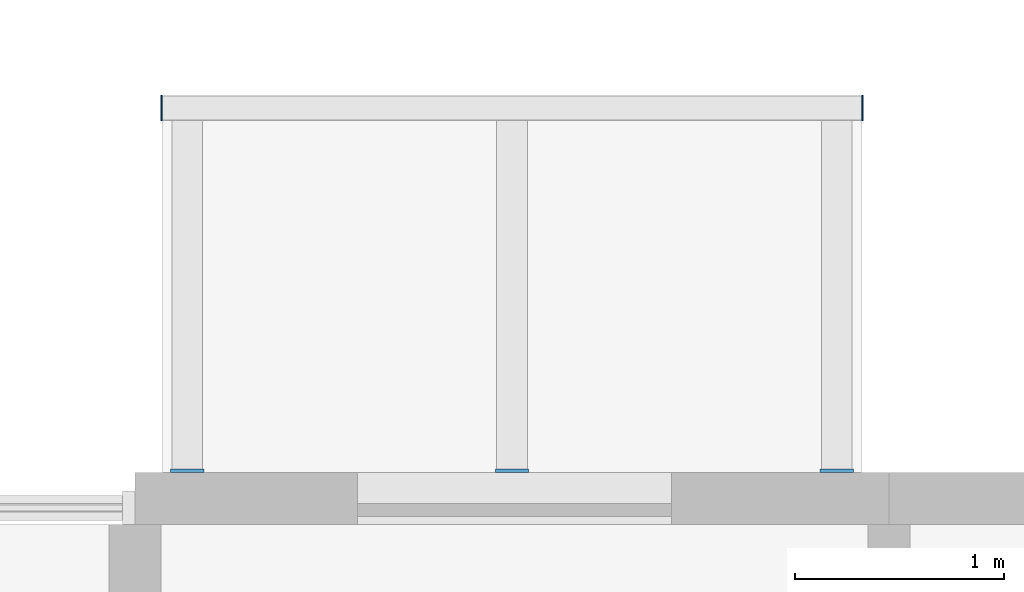
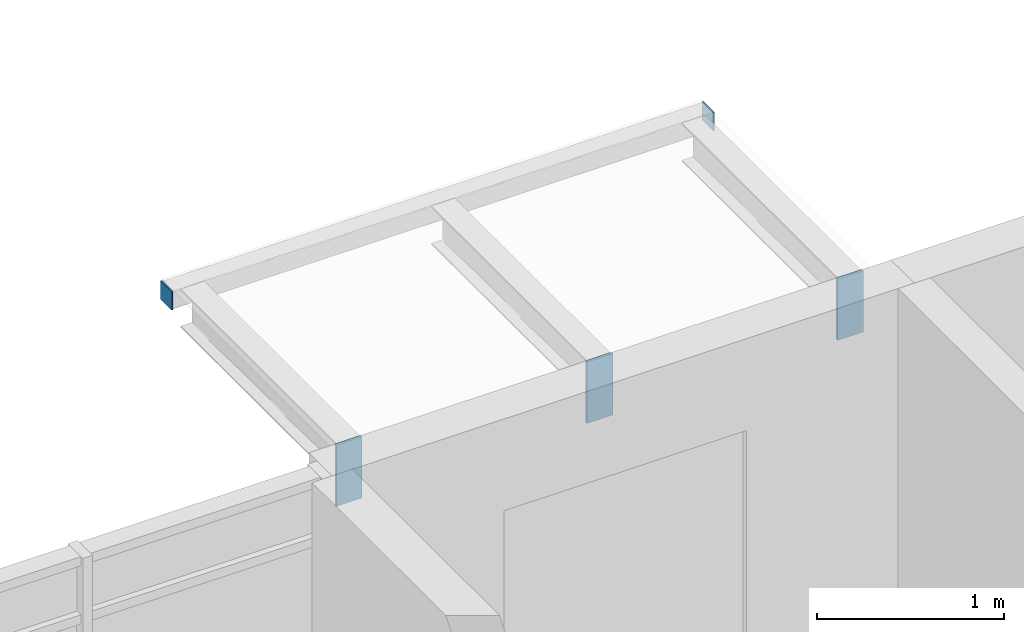
# One storey, part 70 of 94: 5 discrete accessories.
"""IFC4 building model written with IfcOpenShell, lengths in metres."""

from ifc_helpers import new_model, si_unit, direction, frame, origin, origin_2d, place, context, subcontext, project, spatial, rectangle, extrude, material, layer, layer_set, type_object, element, save


model = new_model("IFC4")

# Units and contexts
model_context = context("Model", 3, precision=1e-05, world=origin(), true_north=direction((0.0, 1.0)))
body_context = subcontext(model_context, "Body", "Model", "MODEL_VIEW")
ifc_project = project(units=[si_unit("LENGTHUNIT", "METRE"), si_unit("AREAUNIT", "SQUARE_METRE"), si_unit("VOLUMEUNIT", "CUBIC_METRE"), si_unit("PLANEANGLEUNIT", "RADIAN"), si_unit("MASSUNIT", "GRAM", prefix="KILO")], contexts=[model_context])

# Site, building, storey
site_placement = place(None, origin())
site = spatial("IfcSite", under=ifc_project, at=site_placement, CompositionType="ELEMENT")
building_placement = place(site_placement, origin())
building = spatial("IfcBuilding", under=site, at=building_placement, Name="Ridgestep Commons", CompositionType="ELEMENT")
storey_placement = place(building_placement, frame((0.0, 0.0, 21.0)))
storey = spatial("IfcBuildingStorey", under=building, at=storey_placement, Name="L07", CompositionType="ELEMENT", Elevation=21.0)

# Discrete accessories
ifc_material_1 = material(Name="Weathering steel S355J2W", Category="steel")
ifc_layer_1 = layer(ifc_material_1, 0.014892578125)
ifc_layer_set_1 = layer_set([ifc_layer_1], Name="Tray bracket plate 15")
discrete_accessory_type_1 = type_object("IfcDiscreteAccessoryType", Name="Tray bracket plate 15", PredefinedType="BRACKET", material=ifc_layer_set_1)
for number, where, z_axis, x_axis, name in (
    (1, (203.449951171875, 77.257568359375, 2.588623046875), (0.0, 0.0, 1.0), (1.0, 0.0, 0.0), "Tray bracket C4T3-08.1"),
    (2, (205.0, 77.257568359375, 2.588623046875), (0.0, 0.0, 1.0), (1.0, 0.0, 0.0), "Tray bracket C4T3-08.2"),
    (3, (206.550048828125, 77.257568359375, 2.588623046875), (0.0, 0.0, 1.0), (1.0, 0.0, 0.0), "Tray bracket C4T3-08.3"),
):
    element("IfcDiscreteAccessory", number, at=place(storey_placement, frame(where, z_axis=z_axis, x_axis=x_axis)), inside=storey, type_object=discrete_accessory_type_1, Name=name, PredefinedType="BRACKET", context=body_context, shape_type="SweptSolid", body=[
        extrude(rectangle(XDim=0.159912109375, YDim=0.014892578125, at=origin_2d()), origin(), (0.0, 0.0, 1.0), 0.4013671875),
    ])
ifc_material_2 = material(Name="Weathering steel S355J2W", Category="steel")
ifc_layer_2 = layer(ifc_material_2, 0.008056640625)
ifc_layer_set_2 = layer_set([ifc_layer_2], Name="Tray edge member end plate 120 x 120 x 8")
discrete_accessory_type_2 = type_object("IfcDiscreteAccessoryType", Name="Tray edge member end plate 120 x 120 x 8", PredefinedType="BRACKET", material=ifc_layer_set_2)
for number, where, z_axis, x_axis, name in (
    (4, (203.325927734375, 78.989990234375, 2.869873046875), (0.0, 0.0, 1.0), (1.0, 0.0, 0.0), "Tray edge member end plate C4T3-08 west"),
    (5, (206.674072265625, 78.989990234375, 2.869873046875), (0.0, 0.0, 1.0), (1.0, 0.0, 0.0), "Tray edge member end plate C4T3-08 east"),
):
    element("IfcDiscreteAccessory", number, at=place(storey_placement, frame(where, z_axis=z_axis, x_axis=x_axis)), inside=storey, type_object=discrete_accessory_type_2, Name=name, PredefinedType="BRACKET", context=body_context, shape_type="SweptSolid", body=[
        extrude(rectangle(XDim=0.008056640625, YDim=0.1201171875, at=origin_2d()), origin(), (0.0, 0.0, 1.0), 0.1201171875),
    ])

save(model, "model.ifc")
